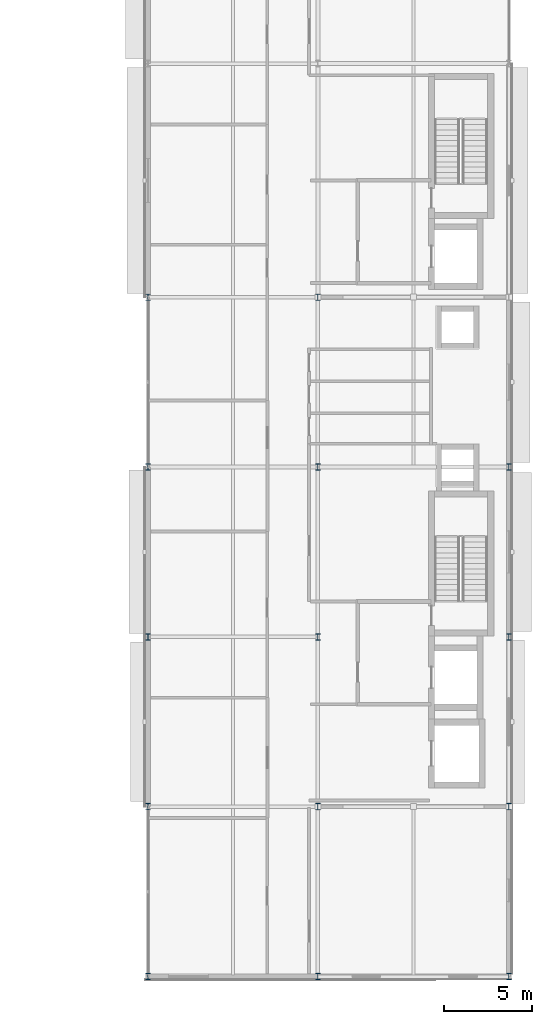
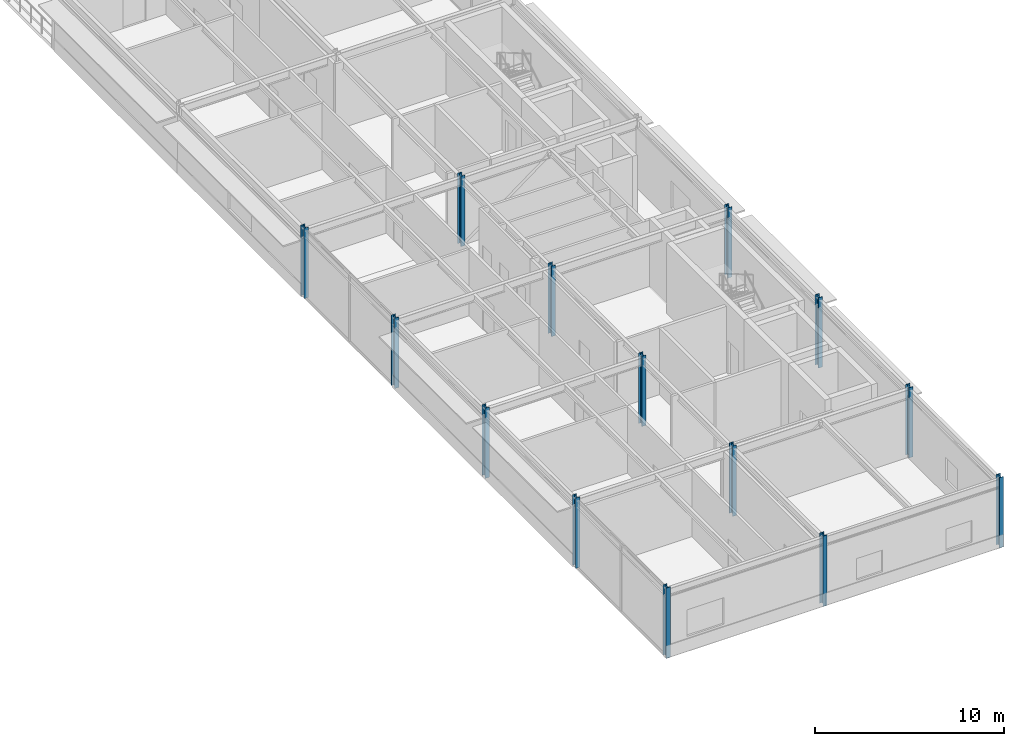
# One storey, part 1 of 22: 14 columns.
"""IFC4 building model written with IfcOpenShell, lengths in metres."""

from ifc_helpers import new_model, si_unit, direction, frame, origin, origin_2d, place, context, subcontext, project, spatial, i_section, extrude, material, material_profile, profile_set, type_object, element, save


model = new_model("IFC4")

# Units and contexts
model_context = context("Model", 3, precision=1e-05, world=origin(), true_north=direction((0.0, 1.0)))
body_context = subcontext(model_context, "Body", "Model", "MODEL_VIEW")
ifc_project = project(units=[si_unit("LENGTHUNIT", "METRE"), si_unit("AREAUNIT", "SQUARE_METRE"), si_unit("VOLUMEUNIT", "CUBIC_METRE"), si_unit("PLANEANGLEUNIT", "RADIAN"), si_unit("MASSUNIT", "GRAM", prefix="KILO")], contexts=[model_context])

# Site, building, storey
site_placement = place(None, origin())
site = spatial("IfcSite", under=ifc_project, at=site_placement, CompositionType="ELEMENT")
building_placement = place(site_placement, origin())
building = spatial("IfcBuilding", under=site, at=building_placement, Name="Almandine Court Research Institute", CompositionType="ELEMENT")
storey_placement = place(building_placement, frame((0.0, 0.0, 28.0)))
storey = spatial("IfcBuildingStorey", under=building, at=storey_placement, Name="L06", CompositionType="ELEMENT", Elevation=28.0)

# Columns
ifc_material = material(Name="Steel ASTM A992 Grade 50", Category="steel")
ifc_material_profile_1 = material_profile(ifc_material, i_section(OverallWidth=0.257080078125, OverallDepth=0.363037109375, WebThickness=0.012939453125, FlangeThickness=0.02197265625, at=origin_2d()), Name="W360x122")
ifc_profile_set_1 = profile_set([ifc_material_profile_1], Name="Steel ASTM A992 Grade 50")
column_type_1 = type_object("IfcColumnType", Name="Col-C-W05", PredefinedType="COLUMN", material=ifc_profile_set_1)
for number, where, z_axis, x_axis, name in (
    (1, (153.60009765625, 15.60009765625, 0.0), (0.0, 0.0, 1.0), (1.0, 0.0, 0.0), "L06 V4 Column V4-X2Y2"),
    (2, (153.60009765625, 25.199951171875, 0.0), (0.0, 0.0, 1.0), (1.0, 0.0, 0.0), "L06 V4 Column V4-X2Y3"),
    (3, (153.60009765625, 34.800048828125, 0.0), (0.0, 0.0, 1.0), (1.0, 0.0, 0.0), "L06 V4 Column V4-X2Y4"),
    (4, (153.60009765625, 44.39990234375, 0.0), (0.0, 0.0, 1.0), (1.0, 0.0, 0.0), "L06 V4 Column V4-X2Y5"),
    (5, (163.199951171875, 15.60009765625, 0.0), (0.0, 0.0, 1.0), (1.0, 0.0, 0.0), "L06 V4 Column V4-X3Y2"),
    (6, (163.199951171875, 25.199951171875, 0.0), (0.0, 0.0, 1.0), (1.0, 0.0, 0.0), "L06 V4 Column V4-X3Y3"),
    (7, (163.199951171875, 34.800048828125, 0.0), (0.0, 0.0, 1.0), (1.0, 0.0, 0.0), "L06 V4 Column V4-X3Y4"),
    (8, (163.199951171875, 44.39990234375, 0.0), (0.0, 0.0, 1.0), (1.0, 0.0, 0.0), "L06 V4 Column V4-X3Y5"),
):
    element("IfcColumn", number, at=place(storey_placement, frame(where, z_axis=z_axis, x_axis=x_axis)), inside=storey, type_object=column_type_1, Name=name, PredefinedType="COLUMN", context=body_context, shape_type="SweptSolid", body=[
        extrude(i_section(OverallWidth=0.257080078125, OverallDepth=0.363037109375, WebThickness=0.012939453125, FlangeThickness=0.02197265625, at=origin_2d()), origin(), (0.0, 0.0, 1.0), 4.550048828125),
    ])
ifc_material_profile_2 = material_profile(ifc_material, i_section(OverallWidth=0.257080078125, OverallDepth=0.363037109375, WebThickness=0.012939453125, FlangeThickness=0.02197265625, at=origin_2d()), Name="W360x122")
ifc_profile_set_2 = profile_set([ifc_material_profile_2], Name="Steel ASTM A992 Grade 50")
column_type_2 = type_object("IfcColumnType", Name="Col-C-W05-E", PredefinedType="COLUMN", material=ifc_profile_set_2)
for number, where, z_axis, x_axis, name in (
    (9, (153.60009765625, 6.0, 0.0), (0.0, 0.0, 1.0), (1.0, 0.0, 0.0), "L06 V4 Column V4-X2Y1"),
    (10, (163.199951171875, 6.0, 0.0), (0.0, 0.0, 1.0), (1.0, 0.0, 0.0), "L06 V4 Column V4-X3Y1"),
    (11, (174.0, 6.0, 0.0), (0.0, 0.0, 1.0), (1.0, 0.0, 0.0), "L06 V4 Column V4-X4Y1"),
    (12, (174.0, 15.60009765625, 0.0), (0.0, 0.0, 1.0), (1.0, 0.0, 0.0), "L06 V4 Column V4-X4Y2"),
    (13, (174.0, 25.199951171875, 0.0), (0.0, 0.0, 1.0), (1.0, 0.0, 0.0), "L06 V4 Column V4-X4Y3"),
    (14, (174.0, 34.800048828125, 0.0), (0.0, 0.0, 1.0), (1.0, 0.0, 0.0), "L06 V4 Column V4-X4Y4"),
):
    element("IfcColumn", number, at=place(storey_placement, frame(where, z_axis=z_axis, x_axis=x_axis)), inside=storey, type_object=column_type_2, Name=name, PredefinedType="COLUMN", context=body_context, shape_type="SweptSolid", body=[
        extrude(i_section(OverallWidth=0.257080078125, OverallDepth=0.363037109375, WebThickness=0.012939453125, FlangeThickness=0.02197265625, at=origin_2d()), origin(), (0.0, 0.0, 1.0), 4.550048828125),
    ])

save(model, "model.ifc")
